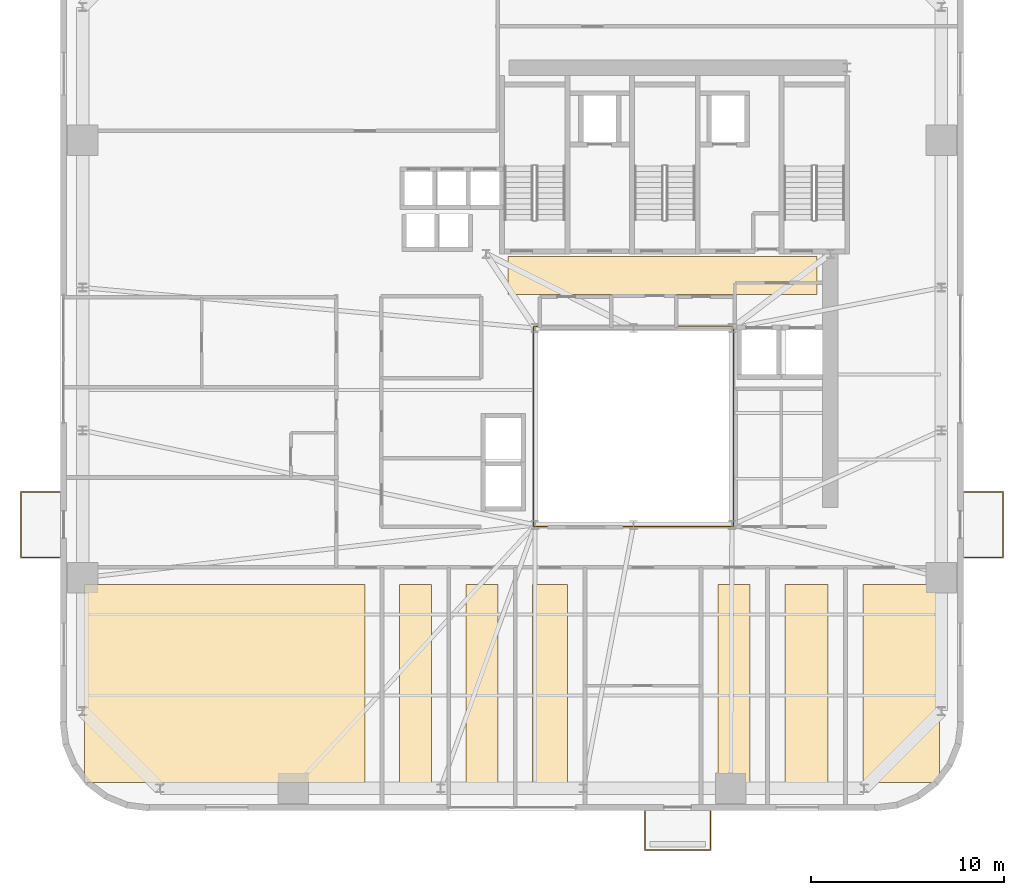
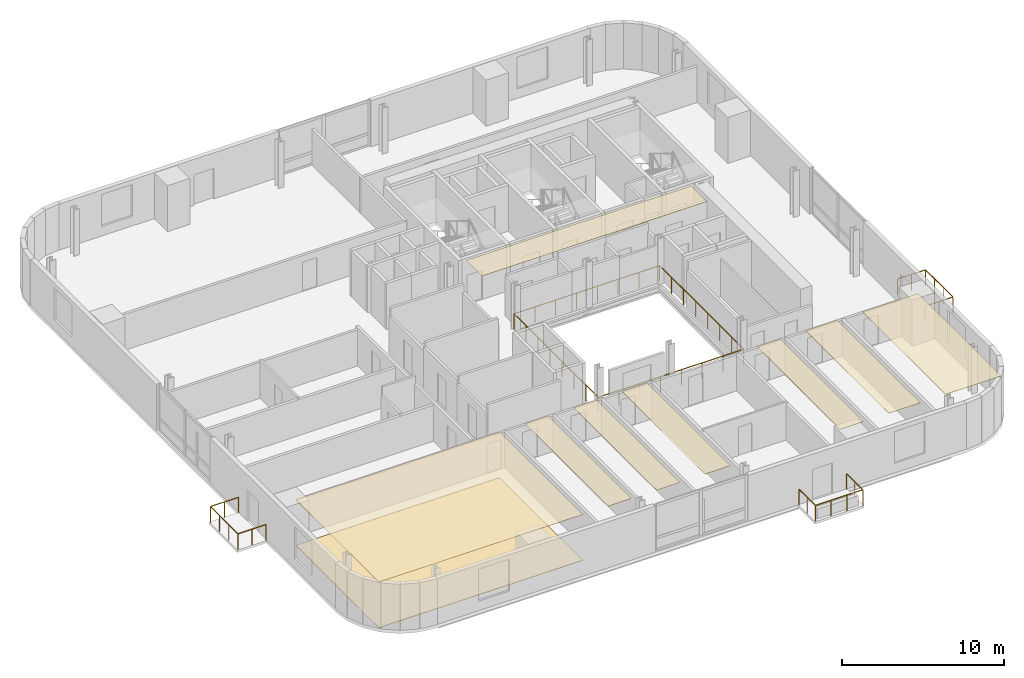
# One storey, part 10 of 11: 9 coverings, 4 railings.
"""IFC4 building model written with IfcOpenShell, lengths in metres."""

from ifc_helpers import new_model, si_unit, direction, frame, origin, origin_2d, place, context, subcontext, project, spatial, polyline, rectangle, outline, extrude, source, transform, mapped, material, layer, layer_set, type_object, element, save


model = new_model("IFC4")

# Units and contexts
model_context = context("Model", 3, precision=1e-05, world=origin(), true_north=direction((0.0, 1.0)))
body_context = subcontext(model_context, "Body", "Model", "MODEL_VIEW")
ifc_project = project(units=[si_unit("LENGTHUNIT", "METRE"), si_unit("AREAUNIT", "SQUARE_METRE"), si_unit("VOLUMEUNIT", "CUBIC_METRE"), si_unit("PLANEANGLEUNIT", "RADIAN"), si_unit("MASSUNIT", "GRAM", prefix="KILO")], contexts=[model_context])

# Site, building, storey
site_placement = place(None, origin())
site = spatial("IfcSite", under=ifc_project, at=site_placement, CompositionType="ELEMENT")
building_placement = place(site_placement, origin())
building = spatial("IfcBuilding", under=site, at=building_placement, Name="Vardaveli Station Tower", CompositionType="ELEMENT")
storey_placement = place(building_placement, frame((0.0, 0.0, 137.199951171875)))
storey = spatial("IfcBuildingStorey", under=building, at=storey_placement, Name="L35", CompositionType="ELEMENT", Elevation=137.199951171875)

# Coverings
ifc_material_1 = material(Name="Perforated acoustic mineral ceiling")
ifc_layer_1 = layer(ifc_material_1, 0.02001953125, Name="Perforated acoustic mineral ceiling")
ifc_layer_set_1 = layer_set([ifc_layer_1], Name="Perforated acoustic mineral ceiling")
covering_type_1 = type_object("IfcCoveringType", Name="COV-CEIL-AC20", PredefinedType="CEILING", material=ifc_layer_set_1)
covering_1_placement = place(storey_placement, frame((0.0, 0.0, 3.445068359375)))
element("IfcCovering", 1, at=covering_1_placement, inside=storey, type_object=covering_type_1, Name="CEIL-L35-1", PredefinedType="CEILING", context=body_context, shape_type="SweptSolid", body=[
    extrude(outline(polyline([(7.85009765625, 3.25), (22.3701171875, 3.25), (22.3701171875, 13.5), (7.85009765625, 13.5), (7.85009765625, 3.25)])), origin(), (0.0, 0.0, 1.0), 0.02001953125),
])
covering_2_placement = place(storey_placement, frame((0.0, 0.0, 3.445068359375)))
element("IfcCovering", 2, at=covering_2_placement, inside=storey, type_object=covering_type_1, Name="CEIL-L35-2", PredefinedType="CEILING", context=body_context, shape_type="SweptSolid", body=[
    extrude(outline(polyline([(24.169921875, 3.25), (25.820068359375, 3.25), (25.820068359375, 13.5), (24.169921875, 13.5), (24.169921875, 3.25)])), origin(), (0.0, 0.0, 1.0), 0.02001953125),
])
covering_3_placement = place(storey_placement, frame((0.0, 0.0, 3.445068359375)))
element("IfcCovering", 3, at=covering_3_placement, inside=storey, type_object=covering_type_1, Name="CEIL-L35-3", PredefinedType="CEILING", context=body_context, shape_type="SweptSolid", body=[
    extrude(outline(polyline([(27.6201171875, 3.25), (29.27001953125, 3.25), (29.27001953125, 13.5), (27.6201171875, 13.5), (27.6201171875, 3.25)])), origin(), (0.0, 0.0, 1.0), 0.02001953125),
])
covering_4_placement = place(storey_placement, frame((0.0, 0.0, 3.445068359375)))
element("IfcCovering", 4, at=covering_4_placement, inside=storey, type_object=covering_type_1, Name="CEIL-L35-4", PredefinedType="CEILING", context=body_context, shape_type="SweptSolid", body=[
    extrude(outline(polyline([(31.070068359375, 3.25), (32.878662109375, 3.25), (32.878662109375, 13.5), (31.070068359375, 13.5), (31.070068359375, 3.25)])), origin(), (0.0, 0.0, 1.0), 0.02001953125),
])
covering_5_placement = place(storey_placement, frame((0.0, 0.0, 3.445068359375)))
element("IfcCovering", 5, at=covering_5_placement, inside=storey, type_object=covering_type_1, Name="CEIL-L35-5", PredefinedType="CEILING", context=body_context, shape_type="SweptSolid", body=[
    extrude(outline(polyline([(40.689697265625, 3.25), (42.339599609375, 3.25), (42.339599609375, 13.5), (40.689697265625, 13.5), (40.689697265625, 3.25)])), origin(), (0.0, 0.0, 1.0), 0.02001953125),
])
covering_6_placement = place(storey_placement, frame((0.0, 0.0, 3.445068359375)))
element("IfcCovering", 6, at=covering_6_placement, inside=storey, type_object=covering_type_1, Name="CEIL-L35-6", PredefinedType="CEILING", context=body_context, shape_type="SweptSolid", body=[
    extrude(outline(polyline([(44.1396484375, 3.25), (46.387451171875, 3.25), (46.387451171875, 13.5), (44.1396484375, 13.5), (44.1396484375, 3.25)])), origin(), (0.0, 0.0, 1.0), 0.02001953125),
])
covering_7_placement = place(storey_placement, frame((0.0, 0.0, 3.445068359375)))
element("IfcCovering", 7, at=covering_7_placement, inside=storey, type_object=covering_type_1, Name="CEIL-L35-7", PredefinedType="CEILING", context=body_context, shape_type="SweptSolid", body=[
    extrude(outline(polyline([(48.1875, 3.25), (52.14990234375, 3.25), (52.14990234375, 13.5), (48.1875, 13.5), (48.1875, 3.25)])), origin(), (0.0, 0.0, 1.0), 0.02001953125),
])
covering_8_placement = place(storey_placement, frame((0.0, 0.0, 3.445068359375)))
element("IfcCovering", 8, at=covering_8_placement, inside=storey, type_object=covering_type_1, Name="CEIL-L35-8", PredefinedType="CEILING", context=body_context, shape_type="SweptSolid", body=[
    extrude(outline(polyline([(29.800048828125, 28.550048828125), (45.800048828125, 28.550048828125), (45.800048828125, 30.5), (29.800048828125, 30.5), (29.800048828125, 28.550048828125)])), origin(), (0.0, 0.0, 1.0), 0.02001953125),
])
ifc_material_2 = material(Name="Honed Caucasian basalt and travertine flooring", Category="masonry")
ifc_layer_2 = layer(ifc_material_2, 0.030029296875, Name="Honed Caucasian basalt and travertine flooring")
ifc_layer_set_2 = layer_set([ifc_layer_2], Name="Honed Caucasian basalt and travertine flooring")
covering_type_2 = type_object("IfcCoveringType", Name="COV-FLOOR-ST30", PredefinedType="FLOORING", material=ifc_layer_set_2)
covering_9_placement = place(storey_placement, origin())
element("IfcCovering", 9, at=covering_9_placement, inside=storey, type_object=covering_type_2, Name="FLR-L35-1", PredefinedType="FLOORING", context=body_context, shape_type="SweptSolid", body=[
    extrude(outline(polyline([(7.85009765625, 3.25), (22.3701171875, 3.25), (22.3701171875, 13.5), (7.85009765625, 13.5), (7.85009765625, 3.25)])), origin(), (0.0, 0.0, 1.0), 0.030029296875),
])

# Railings
ifc_material_3 = material(Name="Laminated glass and stainless steel balustrade", Category="steel")
railing_type = type_object("IfcRailingType", Name="RL-BAL-1200", PredefinedType="BALUSTRADE", material=ifc_material_3)
shared_shape_1 = source(origin(), body_context, "Body", "SweptSolid", [
    extrude(rectangle(XDim=0.048095703125, YDim=0.048095703125, at=origin_2d()), frame((0.0, 0.0, 1.17578125), z_axis=(0.0, -1.0, 0.0), x_axis=(1.0, 0.0, 0.0)), (0.0, 0.0, 1.0), 2.0),
    extrude(rectangle(XDim=0.048095703125, YDim=0.048095703125, at=origin_2d()), frame((0.0, -2.0, 1.17578125), z_axis=(1.0, 0.0, 0.0), x_axis=(0.0, 1.0, 0.0)), (0.0, 0.0, 1.0), 3.3798828125),
    extrude(rectangle(XDim=0.048095703125, YDim=0.048095703125, at=origin_2d()), frame((3.3798828125, -2.0, 1.17578125), z_axis=(0.0, 1.0, 0.0), x_axis=(-1.0, 0.0, 0.0)), (0.0, 0.0, 1.0), 2.0),
    extrude(rectangle(XDim=0.0419921875, YDim=0.0419921875, at=origin_2d()), origin(), (0.0, 0.0, 1.0), 1.15185546875),
    extrude(rectangle(XDim=0.0419921875, YDim=0.0419921875, at=origin_2d()), frame((0.0, -1.0, 0.0)), (0.0, 0.0, 1.0), 1.15185546875),
    extrude(rectangle(XDim=0.0419921875, YDim=0.0419921875, at=origin_2d()), frame((0.0, -2.0, 0.0)), (0.0, 0.0, 1.0), 1.15185546875),
    extrude(rectangle(XDim=0.0419921875, YDim=0.0419921875, at=origin_2d()), frame((1.126708984375, -2.0, 0.0)), (0.0, 0.0, 1.0), 1.15185546875),
    extrude(rectangle(XDim=0.0419921875, YDim=0.0419921875, at=origin_2d()), frame((2.253173828125, -2.0, 0.0)), (0.0, 0.0, 1.0), 1.15185546875),
    extrude(rectangle(XDim=0.0419921875, YDim=0.0419921875, at=origin_2d()), frame((3.3798828125, -2.0, 0.0)), (0.0, 0.0, 1.0), 1.15185546875),
    extrude(rectangle(XDim=0.0419921875, YDim=0.0419921875, at=origin_2d()), frame((3.3798828125, -1.0, 0.0)), (0.0, 0.0, 1.0), 1.15185546875),
    extrude(rectangle(XDim=0.0419921875, YDim=0.0419921875, at=origin_2d()), frame((3.3798828125, 0.0, 0.0)), (0.0, 0.0, 1.0), 1.15185546875),
])
railing_1_placement = place(storey_placement, frame((36.899658203125, 1.760009765625, 0.0)))
element("IfcRailing", 10, at=railing_1_placement, inside=storey, type_object=railing_type, Name="RL-LOG-L35-01", PredefinedType="BALUSTRADE", context=body_context, shape_type="MappedRepresentation", body=[
    mapped(shared_shape_1, transform((0.0, 0.0, 0.0), scale=1.0)),
])
shared_shape_2 = source(origin(), body_context, "Body", "SweptSolid", [
    extrude(rectangle(XDim=0.048095703125, YDim=0.048095703125, at=origin_2d()), frame((0.0, 0.0, 1.17578125), z_axis=(1.0, 0.0, 0.0), x_axis=(0.0, 1.0, 0.0)), (0.0, 0.0, 1.0), 2.0),
    extrude(rectangle(XDim=0.048095703125, YDim=0.048095703125, at=origin_2d()), frame((2.0, 0.0, 1.17578125), z_axis=(0.0, 1.0, 0.0), x_axis=(-1.0, 0.0, 0.0)), (0.0, 0.0, 1.0), 3.3798828125),
    extrude(rectangle(XDim=0.048095703125, YDim=0.048095703125, at=origin_2d()), frame((2.0, 3.3798828125, 1.17578125), z_axis=(-1.0, 0.0, 0.0), x_axis=(0.0, -1.0, 0.0)), (0.0, 0.0, 1.0), 2.0),
    extrude(rectangle(XDim=0.0419921875, YDim=0.0419921875, at=origin_2d()), origin(), (0.0, 0.0, 1.0), 1.15185546875),
    extrude(rectangle(XDim=0.0419921875, YDim=0.0419921875, at=origin_2d()), frame((1.0, 0.0, 0.0)), (0.0, 0.0, 1.0), 1.15185546875),
    extrude(rectangle(XDim=0.0419921875, YDim=0.0419921875, at=origin_2d()), frame((2.0, 0.0, 0.0)), (0.0, 0.0, 1.0), 1.15185546875),
    extrude(rectangle(XDim=0.0419921875, YDim=0.0419921875, at=origin_2d()), frame((2.0, 1.126708984375, 0.0)), (0.0, 0.0, 1.0), 1.15185546875),
    extrude(rectangle(XDim=0.0419921875, YDim=0.0419921875, at=origin_2d()), frame((2.0, 2.253173828125, 0.0)), (0.0, 0.0, 1.0), 1.15185546875),
    extrude(rectangle(XDim=0.0419921875, YDim=0.0419921875, at=origin_2d()), frame((2.0, 3.3798828125, 0.0)), (0.0, 0.0, 1.0), 1.15185546875),
    extrude(rectangle(XDim=0.0419921875, YDim=0.0419921875, at=origin_2d()), frame((1.0, 3.3798828125, 0.0)), (0.0, 0.0, 1.0), 1.15185546875),
    extrude(rectangle(XDim=0.0419921875, YDim=0.0419921875, at=origin_2d()), frame((0.0, 3.3798828125, 0.0)), (0.0, 0.0, 1.0), 1.15185546875),
])
railing_2_placement = place(storey_placement, frame((53.43994140625, 14.92041015625, 0.0)))
element("IfcRailing", 11, at=railing_2_placement, inside=storey, type_object=railing_type, Name="RL-LOG-L35-04", PredefinedType="BALUSTRADE", context=body_context, shape_type="MappedRepresentation", body=[
    mapped(shared_shape_2, transform((0.0, 0.0, 0.0), scale=1.0)),
])
shared_shape_3 = source(origin(), body_context, "Body", "SweptSolid", [
    extrude(rectangle(XDim=0.048095703125, YDim=0.048095703125, at=origin_2d()), frame((0.0, 0.0, 1.17578125), z_axis=(-1.0, 0.0, 0.0), x_axis=(0.0, -1.0, 0.0)), (0.0, 0.0, 1.0), 2.0),
    extrude(rectangle(XDim=0.048095703125, YDim=0.048095703125, at=origin_2d()), frame((-2.0, 0.0, 1.17578125), z_axis=(0.0, 1.0, 0.0), x_axis=(-1.0, 0.0, 0.0)), (0.0, 0.0, 1.0), 3.3798828125),
    extrude(rectangle(XDim=0.048095703125, YDim=0.048095703125, at=origin_2d()), frame((-2.0, 3.3798828125, 1.17578125), z_axis=(1.0, 0.0, 0.0), x_axis=(0.0, 1.0, 0.0)), (0.0, 0.0, 1.0), 2.0),
    extrude(rectangle(XDim=0.0419921875, YDim=0.0419921875, at=origin_2d()), origin(), (0.0, 0.0, 1.0), 1.15185546875),
    extrude(rectangle(XDim=0.0419921875, YDim=0.0419921875, at=origin_2d()), frame((-1.0, 0.0, 0.0)), (0.0, 0.0, 1.0), 1.15185546875),
    extrude(rectangle(XDim=0.0419921875, YDim=0.0419921875, at=origin_2d()), frame((-2.0, 0.0, 0.0)), (0.0, 0.0, 1.0), 1.15185546875),
    extrude(rectangle(XDim=0.0419921875, YDim=0.0419921875, at=origin_2d()), frame((-2.0, 1.126708984375, 0.0)), (0.0, 0.0, 1.0), 1.15185546875),
    extrude(rectangle(XDim=0.0419921875, YDim=0.0419921875, at=origin_2d()), frame((-2.0, 2.253173828125, 0.0)), (0.0, 0.0, 1.0), 1.15185546875),
    extrude(rectangle(XDim=0.0419921875, YDim=0.0419921875, at=origin_2d()), frame((-2.0, 3.3798828125, 0.0)), (0.0, 0.0, 1.0), 1.15185546875),
    extrude(rectangle(XDim=0.0419921875, YDim=0.0419921875, at=origin_2d()), frame((-1.0, 3.3798828125, 0.0)), (0.0, 0.0, 1.0), 1.15185546875),
    extrude(rectangle(XDim=0.0419921875, YDim=0.0419921875, at=origin_2d()), frame((0.0, 3.3798828125, 0.0)), (0.0, 0.0, 1.0), 1.15185546875),
])
railing_3_placement = place(storey_placement, frame((6.56005859375, 14.92041015625, 0.0)))
element("IfcRailing", 12, at=railing_3_placement, inside=storey, type_object=railing_type, Name="RL-LOG-L35-03", PredefinedType="BALUSTRADE", context=body_context, shape_type="MappedRepresentation", body=[
    mapped(shared_shape_3, transform((0.0, 0.0, 0.0), scale=1.0)),
])
shared_shape_4 = source(origin(), body_context, "Body", "SweptSolid", [
    extrude(rectangle(XDim=0.048095703125, YDim=0.048095703125, at=origin_2d()), frame((0.0, 0.0, 1.17578125), z_axis=(1.0, 0.0, 0.0), x_axis=(0.0, 1.0, 0.0)), (0.0, 0.0, 1.0), 10.35986328125),
    extrude(rectangle(XDim=0.048095703125, YDim=0.048095703125, at=origin_2d()), frame((10.35986328125, 0.0, 1.17578125), z_axis=(0.0, 1.0, 0.0), x_axis=(-1.0, 0.0, 0.0)), (0.0, 0.0, 1.0), 10.35986328125),
    extrude(rectangle(XDim=0.048095703125, YDim=0.048095703125, at=origin_2d()), frame((10.35986328125, 10.35986328125, 1.17578125), z_axis=(-1.0, 0.0, 0.0), x_axis=(0.0, -1.0, 0.0)), (0.0, 0.0, 1.0), 10.35986328125),
    extrude(rectangle(XDim=0.048095703125, YDim=0.048095703125, at=origin_2d()), frame((0.0, 10.35986328125, 1.17578125), z_axis=(0.0, -1.0, 0.0), x_axis=(1.0, 0.0, 0.0)), (0.0, 0.0, 1.0), 10.35986328125),
    extrude(rectangle(XDim=0.0419921875, YDim=0.0419921875, at=origin_2d()), origin(), (0.0, 0.0, 1.0), 1.15185546875),
    extrude(rectangle(XDim=0.0419921875, YDim=0.0419921875, at=origin_2d()), frame((1.47998046875, 0.0, 0.0)), (0.0, 0.0, 1.0), 1.15185546875),
    extrude(rectangle(XDim=0.0419921875, YDim=0.0419921875, at=origin_2d()), frame((2.9599609375, 0.0, 0.0)), (0.0, 0.0, 1.0), 1.15185546875),
    extrude(rectangle(XDim=0.0419921875, YDim=0.0419921875, at=origin_2d()), frame((4.43994140625, 0.0, 0.0)), (0.0, 0.0, 1.0), 1.15185546875),
    extrude(rectangle(XDim=0.0419921875, YDim=0.0419921875, at=origin_2d()), frame((5.919921875, 0.0, 0.0)), (0.0, 0.0, 1.0), 1.15185546875),
    extrude(rectangle(XDim=0.0419921875, YDim=0.0419921875, at=origin_2d()), frame((7.39990234375, 0.0, 0.0)), (0.0, 0.0, 1.0), 1.15185546875),
    extrude(rectangle(XDim=0.0419921875, YDim=0.0419921875, at=origin_2d()), frame((8.8798828125, 0.0, 0.0)), (0.0, 0.0, 1.0), 1.15185546875),
    extrude(rectangle(XDim=0.0419921875, YDim=0.0419921875, at=origin_2d()), frame((10.35986328125, 0.0, 0.0)), (0.0, 0.0, 1.0), 1.15185546875),
    extrude(rectangle(XDim=0.0419921875, YDim=0.0419921875, at=origin_2d()), frame((10.35986328125, 1.47998046875, 0.0)), (0.0, 0.0, 1.0), 1.15185546875),
    extrude(rectangle(XDim=0.0419921875, YDim=0.0419921875, at=origin_2d()), frame((10.35986328125, 2.9599609375, 0.0)), (0.0, 0.0, 1.0), 1.15185546875),
    extrude(rectangle(XDim=0.0419921875, YDim=0.0419921875, at=origin_2d()), frame((10.35986328125, 4.43994140625, 0.0)), (0.0, 0.0, 1.0), 1.15185546875),
    extrude(rectangle(XDim=0.0419921875, YDim=0.0419921875, at=origin_2d()), frame((10.35986328125, 5.919921875, 0.0)), (0.0, 0.0, 1.0), 1.15185546875),
    extrude(rectangle(XDim=0.0419921875, YDim=0.0419921875, at=origin_2d()), frame((10.35986328125, 7.39990234375, 0.0)), (0.0, 0.0, 1.0), 1.15185546875),
    extrude(rectangle(XDim=0.0419921875, YDim=0.0419921875, at=origin_2d()), frame((10.35986328125, 8.8798828125, 0.0)), (0.0, 0.0, 1.0), 1.15185546875),
    extrude(rectangle(XDim=0.0419921875, YDim=0.0419921875, at=origin_2d()), frame((10.35986328125, 10.35986328125, 0.0)), (0.0, 0.0, 1.0), 1.15185546875),
    extrude(rectangle(XDim=0.0419921875, YDim=0.0419921875, at=origin_2d()), frame((8.8798828125, 10.35986328125, 0.0)), (0.0, 0.0, 1.0), 1.15185546875),
    extrude(rectangle(XDim=0.0419921875, YDim=0.0419921875, at=origin_2d()), frame((7.39990234375, 10.35986328125, 0.0)), (0.0, 0.0, 1.0), 1.15185546875),
    extrude(rectangle(XDim=0.0419921875, YDim=0.0419921875, at=origin_2d()), frame((5.919921875, 10.35986328125, 0.0)), (0.0, 0.0, 1.0), 1.15185546875),
    extrude(rectangle(XDim=0.0419921875, YDim=0.0419921875, at=origin_2d()), frame((4.43994140625, 10.35986328125, 0.0)), (0.0, 0.0, 1.0), 1.15185546875),
    extrude(rectangle(XDim=0.0419921875, YDim=0.0419921875, at=origin_2d()), frame((2.9599609375, 10.35986328125, 0.0)), (0.0, 0.0, 1.0), 1.15185546875),
    extrude(rectangle(XDim=0.0419921875, YDim=0.0419921875, at=origin_2d()), frame((1.47998046875, 10.35986328125, 0.0)), (0.0, 0.0, 1.0), 1.15185546875),
    extrude(rectangle(XDim=0.0419921875, YDim=0.0419921875, at=origin_2d()), frame((0.0, 10.35986328125, 0.0)), (0.0, 0.0, 1.0), 1.15185546875),
    extrude(rectangle(XDim=0.0419921875, YDim=0.0419921875, at=origin_2d()), frame((0.0, 8.8798828125, 0.0)), (0.0, 0.0, 1.0), 1.15185546875),
    extrude(rectangle(XDim=0.0419921875, YDim=0.0419921875, at=origin_2d()), frame((0.0, 7.39990234375, 0.0)), (0.0, 0.0, 1.0), 1.15185546875),
    extrude(rectangle(XDim=0.0419921875, YDim=0.0419921875, at=origin_2d()), frame((0.0, 5.919921875, 0.0)), (0.0, 0.0, 1.0), 1.15185546875),
    extrude(rectangle(XDim=0.0419921875, YDim=0.0419921875, at=origin_2d()), frame((0.0, 4.43994140625, 0.0)), (0.0, 0.0, 1.0), 1.15185546875),
    extrude(rectangle(XDim=0.0419921875, YDim=0.0419921875, at=origin_2d()), frame((0.0, 2.9599609375, 0.0)), (0.0, 0.0, 1.0), 1.15185546875),
    extrude(rectangle(XDim=0.0419921875, YDim=0.0419921875, at=origin_2d()), frame((0.0, 1.47998046875, 0.0)), (0.0, 0.0, 1.0), 1.15185546875),
])
railing_4_placement = place(storey_placement, frame((31.1201171875, 16.52001953125, 0.0)))
element("IfcRailing", 13, at=railing_4_placement, inside=storey, type_object=railing_type, Name="RL-ATR-L35", PredefinedType="BALUSTRADE", context=body_context, shape_type="MappedRepresentation", body=[
    mapped(shared_shape_4, transform((0.0, 0.0, 0.0), scale=1.0)),
])

save(model, "model.ifc")
